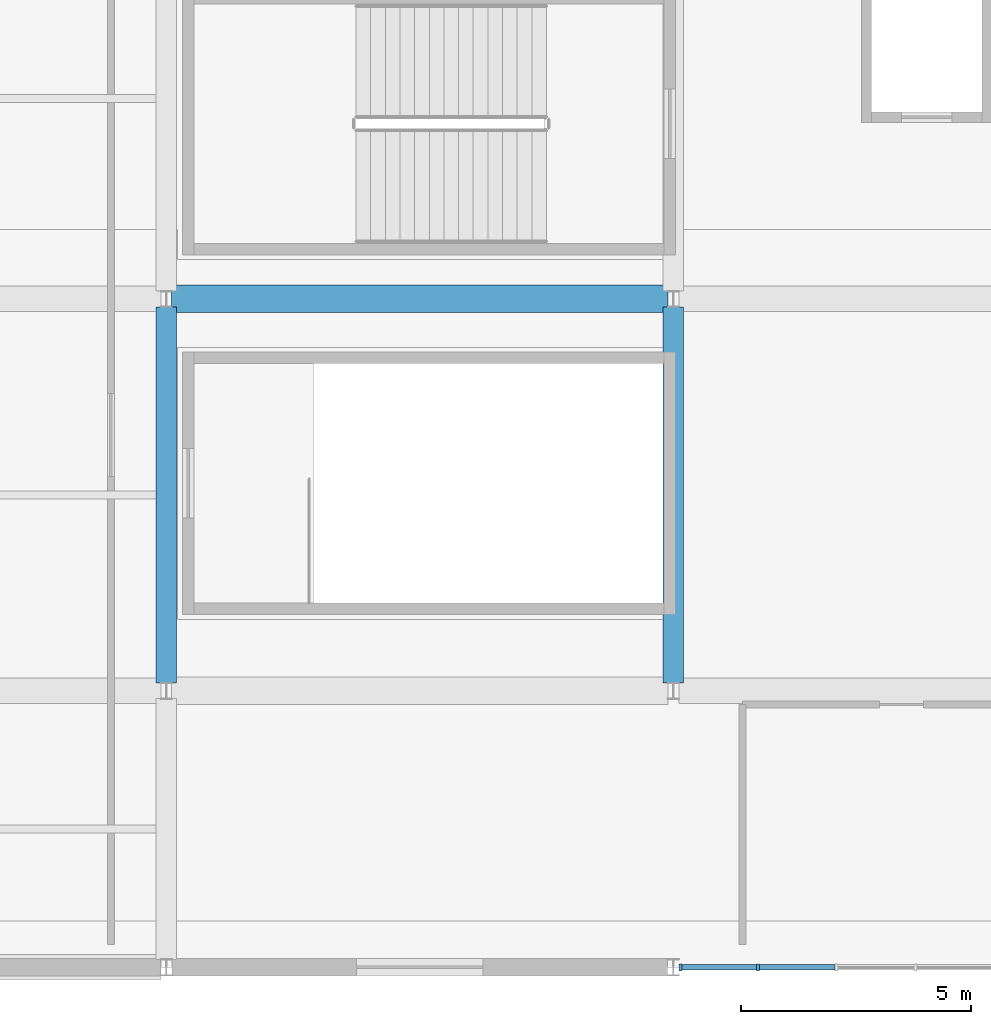
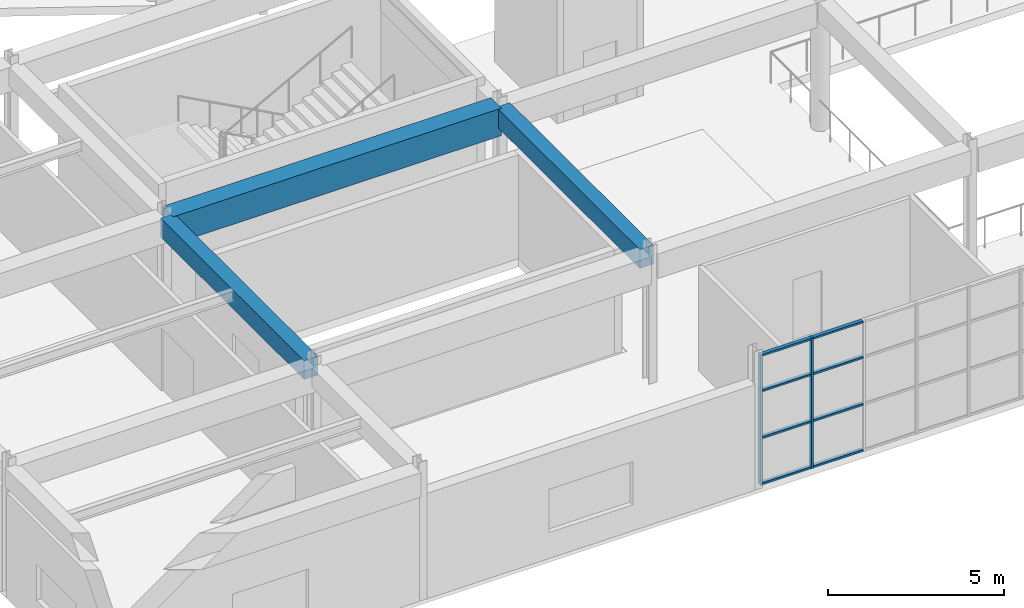
# One storey, part 16 of 112: 10 members, 3 beams, 1 element without a shape of its own.
"""IFC4 building model written with IfcOpenShell, lengths in metres."""

from ifc_helpers import new_model, si_unit, direction, frame, origin, origin_2d, place, context, subcontext, project, spatial, rectangle, extrude, material, material_profile, profile_set, type_object, element, aggregate, save


model = new_model("IFC4")

# Units and contexts
model_context = context("Model", 3, precision=1e-05, world=origin(), true_north=direction((0.0, 1.0)))
body_context = subcontext(model_context, "Body", "Model", "MODEL_VIEW")
ifc_project = project(units=[si_unit("LENGTHUNIT", "METRE"), si_unit("AREAUNIT", "SQUARE_METRE"), si_unit("VOLUMEUNIT", "CUBIC_METRE"), si_unit("PLANEANGLEUNIT", "RADIAN"), si_unit("MASSUNIT", "GRAM", prefix="KILO")], contexts=[model_context])

# Site, building, storey
site_placement = place(None, origin())
site = spatial("IfcSite", under=ifc_project, at=site_placement, CompositionType="ELEMENT")
building_placement = place(site_placement, origin())
building = spatial("IfcBuilding", under=site, at=building_placement, Name="Cuetzalor Civic Arena", CompositionType="ELEMENT")
storey_placement = place(building_placement, frame((0.0, 0.0, 11.39990234375)))
storey = spatial("IfcBuildingStorey", under=building, at=storey_placement, Name="L02", CompositionType="ELEMENT", Elevation=11.39990234375)

# Beams
ifc_material_1 = material(Name="Concrete C40/50", Category="concrete")
ifc_material_profile_1 = material_profile(ifc_material_1, rectangle(XDim=0.60009765625, YDim=0.949951171875, at=origin_2d()), Name="RC 600x950")
ifc_profile_set_1 = profile_set([ifc_material_profile_1], Name="Concrete C40/50")
beam_type_1 = type_object("IfcBeamType", Name="ConcreteFrameBeam_600x950", PredefinedType="BEAM", material=ifc_profile_set_1)
beam_placement = place(storey_placement, frame((-31.881591796875, -57.0, 4.045166015625), z_axis=(1.0, 0.0, 0.0), x_axis=(0.0, 1.0, 0.0)))
element("IfcBeam", 1, at=beam_placement, inside=storey, type_object=beam_type_1, Name="Frame Girder V3-L02-X0588", PredefinedType="BEAM", context=body_context, shape_type="SweptSolid", body=[
    extrude(rectangle(XDim=0.60009765625, YDim=0.949951171875, at=origin_2d()), origin(), (0.0, 0.0, 1.0), 10.76318359375),
])
ifc_material_2 = material(Name="Concrete C40/50", Category="concrete")
ifc_material_profile_2 = material_profile(ifc_material_2, rectangle(XDim=0.449951171875, YDim=0.64990234375, at=origin_2d()), Name="RC 450x650")
ifc_profile_set_2 = profile_set([ifc_material_profile_2], Name="Concrete C40/50")
beam_type_2 = type_object("IfcBeamType", Name="ConcreteTieBeam_450x650", PredefinedType="BEAM", material=ifc_profile_set_2)
for number, where, z_axis, x_axis, name in (
    (2, (-32.0, -65.32861328125, 4.195068359375), (0.0, 1.0, 0.0), (-1.0, 0.0, 0.0), "Frame Girder V3-L02-Y0605"),
    (3, (-21.0, -65.32861328125, 4.195068359375), (0.0, 1.0, 0.0), (-1.0, 0.0, 0.0), "Frame Girder V3-L02-Y0607"),
):
    element("IfcBeam", number, at=place(storey_placement, frame(where, z_axis=z_axis, x_axis=x_axis)), inside=storey, type_object=beam_type_2, Name=name, PredefinedType="BEAM", context=body_context, shape_type="SweptSolid", body=[
        extrude(rectangle(XDim=0.449951171875, YDim=0.64990234375, at=origin_2d()), origin(), (0.0, 0.0, 1.0), 8.1572265625),
    ])

# Curtain wall, members
ifc_material_3 = material(Name="Anodised dark bronze aluminium and low-E solar glass", Category="aluminium")
curtain_wall_type = type_object("IfcCurtainWallType", Name="StickCW_10250x4500", PredefinedType="USERDEFINED", material=ifc_material_3)
curtain_wall_placement = place(storey_placement, origin())
curtain_wall = element("IfcCurtainWall", 4, at=curtain_wall_placement, inside=storey, type_object=curtain_wall_type, Name="South Civic Square Curtain Wall L02-087", ObjectType="STICK CURTAIN WALL", PredefinedType="USERDEFINED")
ifc_material_4 = material(Name="Anodised dark bronze aluminium", Category="aluminium")
ifc_material_profile_3 = material_profile(ifc_material_4, rectangle(XDim=0.06494140625, YDim=0.14990234375, at=origin_2d()), Name="ALU MULLION 65x150")
ifc_profile_set_3 = profile_set([ifc_material_profile_3], Name="Anodised dark bronze aluminium")
member_type_1 = type_object("IfcMemberType", Name="CurtainWallMullion_60x150", PredefinedType="MULLION", material=ifc_profile_set_3)
member_1_placement = place(storey_placement, frame((-19.1669921875, -71.5, 0.0), z_axis=(0.0, 0.0, 1.0), x_axis=(-1.0, 0.0, 0.0)))
member_1 = element("IfcMember", 5, at=member_1_placement, type_object=member_type_1, Name="CW-27 mullion 6", PredefinedType="MULLION", context=body_context, shape_type="SweptSolid", body=[
    extrude(rectangle(XDim=0.06494140625, YDim=0.14990234375, at=origin_2d()), origin(), (0.0, 0.0, 1.0), 4.52001953125),
])
member_2_placement = place(storey_placement, frame((-20.843017578125, -71.5, 0.0), z_axis=(0.0, 0.0, 1.0), x_axis=(-1.0, 0.0, 0.0)))
member_2 = element("IfcMember", 6, at=member_2_placement, type_object=member_type_1, Name="CW-27 mullion 7", PredefinedType="MULLION", context=body_context, shape_type="SweptSolid", body=[
    extrude(rectangle(XDim=0.06494140625, YDim=0.14990234375, at=origin_2d()), origin(), (0.0, 0.0, 1.0), 4.52001953125),
])
ifc_material_5 = material(Name="Anodised dark bronze aluminium", Category="aluminium")
ifc_material_profile_4 = material_profile(ifc_material_5, rectangle(XDim=0.1201171875, YDim=0.06494140625, at=origin_2d()), Name="ALU TRANSOM 65x120")
ifc_profile_set_4 = profile_set([ifc_material_profile_4], Name="Anodised dark bronze aluminium")
member_type_2 = type_object("IfcMemberType", Name="CurtainWallTransom_60x120", PredefinedType="USERDEFINED", material=ifc_profile_set_4)
member_3_placement = place(storey_placement, frame((-17.490966796875, -71.5, 0.03271484375), z_axis=(-1.0, 0.0, 0.0), x_axis=(0.0, -1.0, 0.0)))
member_3 = element("IfcMember", 7, at=member_3_placement, type_object=member_type_2, Name="CW-27 transom 5.1", ObjectType="TRANSOM", PredefinedType="USERDEFINED", context=body_context, shape_type="SweptSolid", body=[
    extrude(rectangle(XDim=0.1201171875, YDim=0.06494140625, at=origin_2d()), origin(), (0.0, 0.0, 1.0), 1.6435546875),
])
member_4_placement = place(storey_placement, frame((-17.490966796875, -71.5, 1.627197265625), z_axis=(-1.0, 0.0, 0.0), x_axis=(0.0, -1.0, 0.0)))
member_4 = element("IfcMember", 8, at=member_4_placement, type_object=member_type_2, Name="CW-27 transom 5.2", ObjectType="TRANSOM", PredefinedType="USERDEFINED", context=body_context, shape_type="SweptSolid", body=[
    extrude(rectangle(XDim=0.1201171875, YDim=0.06494140625, at=origin_2d()), origin(), (0.0, 0.0, 1.0), 1.6435546875),
])
member_5_placement = place(storey_placement, frame((-17.490966796875, -71.5, 3.254150390625), z_axis=(-1.0, 0.0, 0.0), x_axis=(0.0, -1.0, 0.0)))
member_5 = element("IfcMember", 9, at=member_5_placement, type_object=member_type_2, Name="CW-27 transom 5.3", ObjectType="TRANSOM", PredefinedType="USERDEFINED", context=body_context, shape_type="SweptSolid", body=[
    extrude(rectangle(XDim=0.1201171875, YDim=0.06494140625, at=origin_2d()), origin(), (0.0, 0.0, 1.0), 1.6435546875),
])
member_6_placement = place(storey_placement, frame((-17.490966796875, -71.5, 4.487548828125), z_axis=(-1.0, 0.0, 0.0), x_axis=(0.0, -1.0, 0.0)))
member_6 = element("IfcMember", 10, at=member_6_placement, type_object=member_type_2, Name="CW-27 transom 5.4", ObjectType="TRANSOM", PredefinedType="USERDEFINED", context=body_context, shape_type="SweptSolid", body=[
    extrude(rectangle(XDim=0.1201171875, YDim=0.06494140625, at=origin_2d()), origin(), (0.0, 0.0, 1.0), 1.6435546875),
])
member_7_placement = place(storey_placement, frame((-19.199462890625, -71.5, 0.03271484375), z_axis=(-1.0, 0.0, 0.0), x_axis=(0.0, -1.0, 0.0)))
member_7 = element("IfcMember", 11, at=member_7_placement, type_object=member_type_2, Name="CW-27 transom 6.1", ObjectType="TRANSOM", PredefinedType="USERDEFINED", context=body_context, shape_type="SweptSolid", body=[
    extrude(rectangle(XDim=0.1201171875, YDim=0.06494140625, at=origin_2d()), origin(), (0.0, 0.0, 1.0), 1.611083984375),
])
member_8_placement = place(storey_placement, frame((-19.199462890625, -71.5, 1.627197265625), z_axis=(-1.0, 0.0, 0.0), x_axis=(0.0, -1.0, 0.0)))
member_8 = element("IfcMember", 12, at=member_8_placement, type_object=member_type_2, Name="CW-27 transom 6.2", ObjectType="TRANSOM", PredefinedType="USERDEFINED", context=body_context, shape_type="SweptSolid", body=[
    extrude(rectangle(XDim=0.1201171875, YDim=0.06494140625, at=origin_2d()), origin(), (0.0, 0.0, 1.0), 1.611083984375),
])
member_9_placement = place(storey_placement, frame((-19.199462890625, -71.5, 3.254150390625), z_axis=(-1.0, 0.0, 0.0), x_axis=(0.0, -1.0, 0.0)))
member_9 = element("IfcMember", 13, at=member_9_placement, type_object=member_type_2, Name="CW-27 transom 6.3", ObjectType="TRANSOM", PredefinedType="USERDEFINED", context=body_context, shape_type="SweptSolid", body=[
    extrude(rectangle(XDim=0.1201171875, YDim=0.06494140625, at=origin_2d()), origin(), (0.0, 0.0, 1.0), 1.611083984375),
])
member_10_placement = place(storey_placement, frame((-19.199462890625, -71.5, 4.487548828125), z_axis=(-1.0, 0.0, 0.0), x_axis=(0.0, -1.0, 0.0)))
member_10 = element("IfcMember", 14, at=member_10_placement, type_object=member_type_2, Name="CW-27 transom 6.4", ObjectType="TRANSOM", PredefinedType="USERDEFINED", context=body_context, shape_type="SweptSolid", body=[
    extrude(rectangle(XDim=0.1201171875, YDim=0.06494140625, at=origin_2d()), origin(), (0.0, 0.0, 1.0), 1.611083984375),
])
aggregate(curtain_wall, [member_1, member_2, member_3, member_4, member_5, member_6, member_7, member_8, member_9, member_10])

save(model, "model.ifc")
